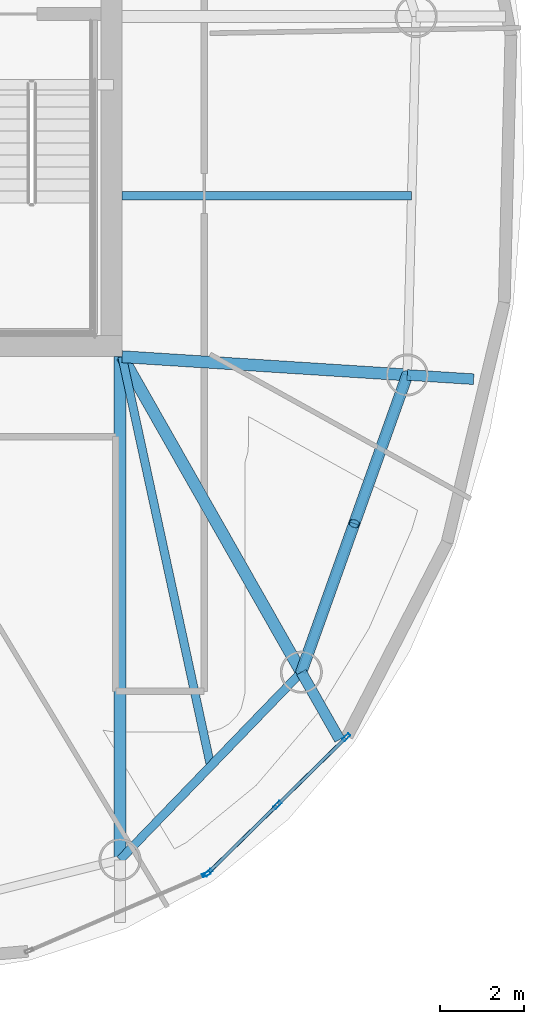
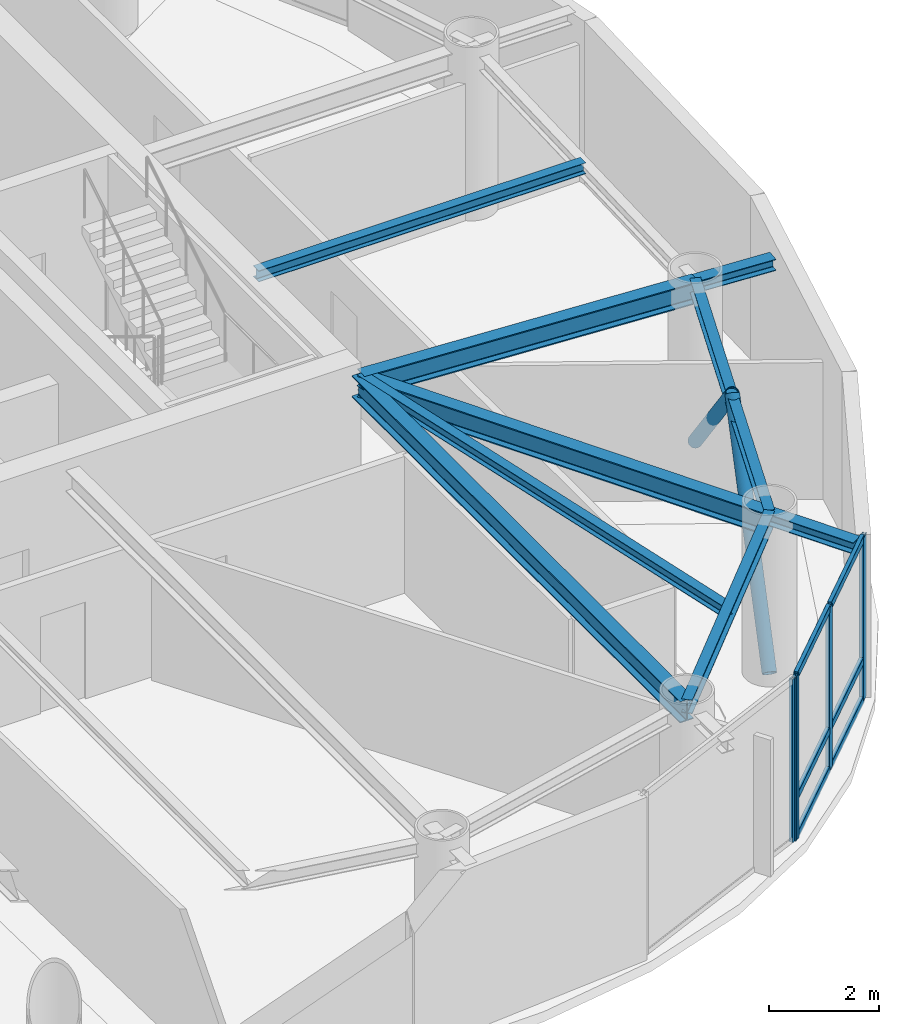
# One storey, part 8 of 21: 12 members, 9 beams, 2 elements without a shape of their own.
"""IFC4 building model written with IfcOpenShell, lengths in metres."""

from ifc_helpers import new_model, si_unit, direction, frame, origin, origin_2d, place, context, subcontext, project, spatial, hollow_rectangle, hollow_circle, i_section, extrude, material, layer, layer_set, material_profile, profile_set, type_object, element, aggregate, save


model = new_model("IFC4")

# Units and contexts
model_context = context("Model", 3, precision=1e-05, world=origin(), true_north=direction((0.0, 1.0)))
body_context = subcontext(model_context, "Body", "Model", "MODEL_VIEW")
ifc_project = project(units=[si_unit("LENGTHUNIT", "METRE"), si_unit("AREAUNIT", "SQUARE_METRE"), si_unit("VOLUMEUNIT", "CUBIC_METRE"), si_unit("PLANEANGLEUNIT", "RADIAN"), si_unit("MASSUNIT", "GRAM", prefix="KILO")], contexts=[model_context])

# Site, building, storey
site_placement = place(None, origin())
site = spatial("IfcSite", under=ifc_project, at=site_placement, CompositionType="ELEMENT")
building_placement = place(site_placement, origin())
building = spatial("IfcBuilding", under=site, at=building_placement, Name="Bramvorn Convention Spire", CompositionType="ELEMENT")
storey_placement = place(building_placement, frame((0.0, 0.0, 257.449951171875)))
storey = spatial("IfcBuildingStorey", under=building, at=storey_placement, Name="L65", CompositionType="ELEMENT", Elevation=257.449951171875)

# Beams
ifc_material_1 = material(Name="Steel CSA G40.21 Grade 350 (350W)", Category="steel")
ifc_material_profile_1 = material_profile(ifc_material_1, i_section(OverallWidth=0.201904296875, OverallDepth=0.2470703125, WebThickness=0.00732421875, FlangeThickness=0.010986328125, FilletRadius=0.011962890625, at=origin_2d()))
ifc_profile_set_1 = profile_set([ifc_material_profile_1], Name="Steel CSA G40.21 Grade 350 (350W) - W250X49")
beam_type_1 = type_object("IfcBeamType", Name="BM-W250X49", PredefinedType="JOIST", material=ifc_profile_set_1)
beam_1_placement = place(storey_placement, frame((49.25, 18.550048828125, 3.50146484375), z_axis=(0.211461445939, -0.977386339623, 0.0), x_axis=(0.977386339623, 0.211461445939, 0.0)))
element("IfcBeam", 1, at=beam_1_placement, inside=storey, type_object=beam_type_1, Name="L65 composite floor joist 01", PredefinedType="JOIST", context=body_context, shape_type="SweptSolid", body=[
    extrude(i_section(OverallWidth=0.201904296875, OverallDepth=0.2470703125, WebThickness=0.00732421875, FlangeThickness=0.010986328125, FilletRadius=0.011962890625, at=origin_2d()), origin(), (0.0, 0.0, 1.0), 9.9462890625),
])
beam_2_placement = place(storey_placement, frame((49.25, 22.373046875, 3.50146484375), z_axis=(1.0, 0.0, 0.0), x_axis=(0.0, 1.0, 0.0)))
element("IfcBeam", 2, at=beam_2_placement, inside=storey, type_object=beam_type_1, Name="L65 composite floor joist 03", PredefinedType="JOIST", context=body_context, shape_type="SweptSolid", body=[
    extrude(i_section(OverallWidth=0.201904296875, OverallDepth=0.2470703125, WebThickness=0.00732421875, FlangeThickness=0.010986328125, FilletRadius=0.011962890625, at=origin_2d()), origin(), (0.0, 0.0, 1.0), 6.879150390625),
])
ifc_material_profile_2 = material_profile(ifc_material_1, i_section(OverallWidth=0.25390625, OverallDepth=0.2529296875, WebThickness=0.008544921875, FlangeThickness=0.01416015625, FilletRadius=0.011962890625, at=origin_2d()))
ifc_profile_set_2 = profile_set([ifc_material_profile_2], Name="Steel CSA G40.21 Grade 350 (350W) - W250X73")
beam_type_2 = type_object("IfcBeamType", Name="BM-W250X73", PredefinedType="BEAM", material=ifc_profile_set_2)
beam_3_placement = place(storey_placement, frame((53.50634765625, 11.05615234375, 3.49853515625), z_axis=(0.493952450223, -0.869488917077, 0.0), x_axis=(0.869488917077, 0.493952450223, 0.0)))
element("IfcBeam", 3, at=beam_3_placement, inside=storey, type_object=beam_type_2, Name="L65 slab-edge cantilever tip beam MC02", PredefinedType="BEAM", context=body_context, shape_type="SweptSolid", body=[
    extrude(i_section(OverallWidth=0.25390625, OverallDepth=0.2529296875, WebThickness=0.008544921875, FlangeThickness=0.01416015625, FilletRadius=0.011962890625, at=origin_2d()), origin(), (0.0, 0.0, 1.0), 1.841064453125),
])
beam_4_placement = place(storey_placement, frame((56.023681640625, 18.116455078125, 3.49853515625), z_axis=(0.997959452391, -0.063850852647, 0.0), x_axis=(0.063850852647, 0.997959452391, 0.0)))
element("IfcBeam", 4, at=beam_4_placement, inside=storey, type_object=beam_type_2, Name="L65 slab-edge cantilever tip beam MC03", PredefinedType="BEAM", context=body_context, shape_type="SweptSolid", body=[
    extrude(i_section(OverallWidth=0.25390625, OverallDepth=0.2529296875, WebThickness=0.008544921875, FlangeThickness=0.01416015625, FilletRadius=0.011962890625, at=origin_2d()), origin(), (0.0, 0.0, 1.0), 1.5791015625),
])
ifc_material_profile_3 = material_profile(ifc_material_1, i_section(OverallWidth=0.202880859375, OverallDepth=0.302978515625, WebThickness=0.007568359375, FlangeThickness=0.01318359375, FilletRadius=0.013916015625, at=origin_2d()))
ifc_profile_set_3 = profile_set([ifc_material_profile_3], Name="Steel CSA G40.21 Grade 350 (350W) - W310X60")
beam_type_3 = type_object("IfcBeamType", Name="BM-W310X60", PredefinedType="JOIST", material=ifc_profile_set_3)
beam_5_placement = place(storey_placement, frame((49.199951171875, 6.60107421875, 3.4736328125), z_axis=(0.695007159797, 0.719002814898, 0.0), x_axis=(-0.719002814898, 0.695007159797, 0.0)))
element("IfcBeam", 5, at=beam_5_placement, inside=storey, type_object=beam_type_3, Name="L65 mega-column ring beam 01", PredefinedType="JOIST", context=body_context, shape_type="SweptSolid", body=[
    extrude(i_section(OverallWidth=0.202880859375, OverallDepth=0.302978515625, WebThickness=0.007568359375, FlangeThickness=0.01318359375, FilletRadius=0.013916015625, at=origin_2d()), origin(), (0.0, 0.0, 1.0), 6.1962890625),
])
beam_6_placement = place(storey_placement, frame((53.50634765625, 11.05615234375, 3.4736328125), z_axis=(0.335839090413, 0.941919373063, 0.0), x_axis=(-0.941919373063, 0.335839090413, 0.0)))
element("IfcBeam", 6, at=beam_6_placement, inside=storey, type_object=beam_type_3, Name="L65 mega-column ring beam 02", PredefinedType="JOIST", context=body_context, shape_type="SweptSolid", body=[
    extrude(i_section(OverallWidth=0.202880859375, OverallDepth=0.302978515625, WebThickness=0.007568359375, FlangeThickness=0.01318359375, FilletRadius=0.013916015625, at=origin_2d()), origin(), (0.0, 0.0, 1.0), 7.49560546875),
])
ifc_material_profile_4 = material_profile(ifc_material_1, i_section(OverallWidth=0.283935546875, OverallDepth=0.47607421875, WebThickness=0.014892578125, FlangeThickness=0.02392578125, FilletRadius=0.01806640625, at=origin_2d()))
ifc_profile_set_4 = profile_set([ifc_material_profile_4], Name="Steel CSA G40.21 Grade 350 (350W) - W460X158")
beam_type_4 = type_object("IfcBeamType", Name="BM-W460X158", PredefinedType="SPANDREL", material=ifc_profile_set_4)
beam_7_placement = place(storey_placement, frame((49.199951171875, 18.550048828125, 3.386962890625), z_axis=(0.0, -1.0, 0.0), x_axis=(1.0, 0.0, 0.0)))
element("IfcBeam", 7, at=beam_7_placement, inside=storey, type_object=beam_type_4, Name="L65 radial floor girder MC01", PredefinedType="SPANDREL", context=body_context, shape_type="SweptSolid", body=[
    extrude(i_section(OverallWidth=0.283935546875, OverallDepth=0.47607421875, WebThickness=0.014892578125, FlangeThickness=0.02392578125, FilletRadius=0.01806640625, at=origin_2d()), origin(), (0.0, 0.0, 1.0), 11.948974609375),
])
beam_8_placement = place(storey_placement, frame((49.25, 18.550048828125, 3.386962890625), z_axis=(0.493873612118, -0.869533699895, 0.0), x_axis=(0.869533699895, 0.493873612118, 0.0)))
element("IfcBeam", 8, at=beam_8_placement, inside=storey, type_object=beam_type_4, Name="L65 radial floor girder MC02", PredefinedType="SPANDREL", context=body_context, shape_type="SweptSolid", body=[
    extrude(i_section(OverallWidth=0.283935546875, OverallDepth=0.47607421875, WebThickness=0.014892578125, FlangeThickness=0.02392578125, FilletRadius=0.01806640625, at=origin_2d()), origin(), (0.0, 0.0, 1.0), 8.618408203125),
])
beam_9_placement = place(storey_placement, frame((49.25, 18.550048828125, 3.386962890625), z_axis=(0.997957536354, -0.063880792379, 0.0), x_axis=(0.063880792379, 0.997957536354, 0.0)))
element("IfcBeam", 9, at=beam_9_placement, inside=storey, type_object=beam_type_4, Name="L65 radial floor girder MC03", PredefinedType="SPANDREL", context=body_context, shape_type="SweptSolid", body=[
    extrude(i_section(OverallWidth=0.283935546875, OverallDepth=0.47607421875, WebThickness=0.014892578125, FlangeThickness=0.02392578125, FilletRadius=0.01806640625, at=origin_2d()), origin(), (0.0, 0.0, 1.0), 6.78759765625),
])

# Curtain wall, members
ifc_material_2 = material(Name="Anodised Bronze Unitised Curtain Wall", Category="aluminium")
ifc_layer = layer(ifc_material_2, 0.179931640625)
ifc_layer_set = layer_set([ifc_layer], Name="Anodised Bronze Unitised Curtain Wall - CW-OFF-FRIT")
curtain_wall_type = type_object("IfcCurtainWallType", Name="CW-OFF-FRIT", PredefinedType="USERDEFINED", material=ifc_layer_set)
curtain_wall_1_placement = place(storey_placement, origin())
curtain_wall_1 = element("IfcCurtainWall", 10, at=curtain_wall_1_placement, inside=storey, type_object=curtain_wall_type, Name="L65 fritted glass curtain wall 01", ObjectType="UNITISED CURTAIN WALL", PredefinedType="USERDEFINED")
ifc_material_3 = material(Name="Anodised Bronze Aluminium 6063-T6", Category="aluminium")
ifc_material_profile_5 = material_profile(ifc_material_3, hollow_rectangle(XDim=0.080078125, YDim=0.199951171875, WallThickness=0.00390625, InnerFilletRadius=0.0009765625, OuterFilletRadius=0.00390625, at=origin_2d()))
ifc_profile_set_5 = profile_set([ifc_material_profile_5], Name="Anodised Bronze Aluminium 6063-T6 - CWM80X200")
member_type_1 = type_object("IfcMemberType", Name="CW-MUL-180", PredefinedType="MULLION", material=ifc_profile_set_5)
member_1_placement = place(storey_placement, frame((54.576416015625, 9.51220703125, 0.0), z_axis=(0.0, 0.0, 1.0), x_axis=(0.700854389246, -0.71330437057, 0.0)))
member_1 = element("IfcMember", 11, at=member_1_placement, type_object=member_type_1, Name="CW3 mullion 1", PredefinedType="MULLION", context=body_context, shape_type="SweptSolid", body=[
    extrude(hollow_rectangle(XDim=0.080078125, YDim=0.199951171875, WallThickness=0.00390625, InnerFilletRadius=0.0009765625, OuterFilletRadius=0.00390625, at=origin_2d()), origin(), (0.0, 0.0, 1.0), 3.625),
])
member_2_placement = place(storey_placement, frame((52.93896484375, 7.903564453125, 0.0), z_axis=(0.0, 0.0, 1.0), x_axis=(0.700854389246, -0.71330437057, 0.0)))
member_2 = element("IfcMember", 12, at=member_2_placement, type_object=member_type_1, Name="CW3 mullion 2", PredefinedType="MULLION", context=body_context, shape_type="SweptSolid", body=[
    extrude(hollow_rectangle(XDim=0.080078125, YDim=0.199951171875, WallThickness=0.00390625, InnerFilletRadius=0.0009765625, OuterFilletRadius=0.00390625, at=origin_2d()), origin(), (0.0, 0.0, 1.0), 3.625),
])
member_3_placement = place(storey_placement, frame((51.3017578125, 6.294921875, 0.0), z_axis=(0.0, 0.0, 1.0), x_axis=(0.700854389246, -0.71330437057, 0.0)))
member_3 = element("IfcMember", 13, at=member_3_placement, type_object=member_type_1, Name="CW3 mullion 3", PredefinedType="MULLION", context=body_context, shape_type="SweptSolid", body=[
    extrude(hollow_rectangle(XDim=0.080078125, YDim=0.199951171875, WallThickness=0.00390625, InnerFilletRadius=0.0009765625, OuterFilletRadius=0.00390625, at=origin_2d()), origin(), (0.0, 0.0, 1.0), 3.625),
])

# Curtain wall, member
curtain_wall_2_placement = place(storey_placement, origin())
curtain_wall_2 = element("IfcCurtainWall", 14, at=curtain_wall_2_placement, inside=storey, type_object=curtain_wall_type, Name="L65 fritted glass curtain wall 24", ObjectType="UNITISED CURTAIN WALL", PredefinedType="USERDEFINED")
member_4_placement = place(storey_placement, frame((51.2529296875, 6.261962890625, 0.0), z_axis=(0.0, 0.0, 1.0), x_axis=(0.39721516725, -0.917725509565, 0.0)))
member_4 = element("IfcMember", 15, at=member_4_placement, type_object=member_type_1, Name="CW3 mullion 1", PredefinedType="MULLION", context=body_context, shape_type="SweptSolid", body=[
    extrude(hollow_rectangle(XDim=0.080078125, YDim=0.199951171875, WallThickness=0.00390625, InnerFilletRadius=0.0009765625, OuterFilletRadius=0.00390625, at=origin_2d()), origin(), (0.0, 0.0, 1.0), 3.625),
])
aggregate(curtain_wall_2, [member_4])

# Member
ifc_material_profile_6 = material_profile(ifc_material_3, hollow_rectangle(XDim=0.080078125, YDim=0.159912109375, WallThickness=0.00390625, InnerFilletRadius=0.0009765625, OuterFilletRadius=0.00390625, at=origin_2d()))
ifc_profile_set_6 = profile_set([ifc_material_profile_6], Name="Anodised Bronze Aluminium 6063-T6 - CWT80X160")
member_type_2 = type_object("IfcMemberType", Name="CW-TRN-150", PredefinedType="USERDEFINED", material=ifc_profile_set_6)
member_5_placement = place(storey_placement, frame((54.554931640625, 9.4912109375, 0.030029296875), z_axis=(-0.713304819912, -0.700853931921, 0.0), x_axis=(0.700853931921, -0.713304819912, 0.0)))
member_5 = element("IfcMember", 16, at=member_5_placement, type_object=member_type_2, Name="CW3 transom 1.1", ObjectType="TRANSOM", PredefinedType="USERDEFINED", context=body_context, shape_type="SweptSolid", body=[
    extrude(hollow_rectangle(XDim=0.080078125, YDim=0.159912109375, WallThickness=0.00390625, InnerFilletRadius=0.0009765625, OuterFilletRadius=0.00390625, at=origin_2d()), origin(), (0.0, 0.0, 1.0), 2.2353515625),
])

member_6_placement = place(storey_placement, frame((54.554931640625, 9.4912109375, 0.900146484375), z_axis=(-0.713304819912, -0.700853931921, 0.0), x_axis=(0.700853931921, -0.713304819912, 0.0)))
member_6 = element("IfcMember", 17, at=member_6_placement, type_object=member_type_2, Name="CW3 transom 1.2", ObjectType="TRANSOM", PredefinedType="USERDEFINED", context=body_context, shape_type="SweptSolid", body=[
    extrude(hollow_rectangle(XDim=0.080078125, YDim=0.159912109375, WallThickness=0.00390625, InnerFilletRadius=0.0009765625, OuterFilletRadius=0.00390625, at=origin_2d()), origin(), (0.0, 0.0, 1.0), 2.2353515625),
])

member_7_placement = place(storey_placement, frame((54.554931640625, 9.4912109375, 3.594970703125), z_axis=(-0.713304819912, -0.700853931921, 0.0), x_axis=(0.700853931921, -0.713304819912, 0.0)))
member_7 = element("IfcMember", 18, at=member_7_placement, type_object=member_type_2, Name="CW3 transom 1.3", ObjectType="TRANSOM", PredefinedType="USERDEFINED", context=body_context, shape_type="SweptSolid", body=[
    extrude(hollow_rectangle(XDim=0.080078125, YDim=0.159912109375, WallThickness=0.00390625, InnerFilletRadius=0.0009765625, OuterFilletRadius=0.00390625, at=origin_2d()), origin(), (0.0, 0.0, 1.0), 2.2353515625),
])

member_8_placement = place(storey_placement, frame((52.917724609375, 7.882568359375, 0.030029296875), z_axis=(-0.713304819912, -0.700853931921, 0.0), x_axis=(0.700853931921, -0.713304819912, 0.0)))
member_8 = element("IfcMember", 19, at=member_8_placement, type_object=member_type_2, Name="CW3 transom 2.1", ObjectType="TRANSOM", PredefinedType="USERDEFINED", context=body_context, shape_type="SweptSolid", body=[
    extrude(hollow_rectangle(XDim=0.080078125, YDim=0.159912109375, WallThickness=0.00390625, InnerFilletRadius=0.0009765625, OuterFilletRadius=0.00390625, at=origin_2d()), origin(), (0.0, 0.0, 1.0), 2.2353515625),
])

member_9_placement = place(storey_placement, frame((52.917724609375, 7.882568359375, 0.900146484375), z_axis=(-0.713304819912, -0.700853931921, 0.0), x_axis=(0.700853931921, -0.713304819912, 0.0)))
member_9 = element("IfcMember", 20, at=member_9_placement, type_object=member_type_2, Name="CW3 transom 2.2", ObjectType="TRANSOM", PredefinedType="USERDEFINED", context=body_context, shape_type="SweptSolid", body=[
    extrude(hollow_rectangle(XDim=0.080078125, YDim=0.159912109375, WallThickness=0.00390625, InnerFilletRadius=0.0009765625, OuterFilletRadius=0.00390625, at=origin_2d()), origin(), (0.0, 0.0, 1.0), 2.2353515625),
])

member_10_placement = place(storey_placement, frame((52.917724609375, 7.882568359375, 3.594970703125), z_axis=(-0.713304819912, -0.700853931921, 0.0), x_axis=(0.700853931921, -0.713304819912, 0.0)))
member_10 = element("IfcMember", 21, at=member_10_placement, type_object=member_type_2, Name="CW3 transom 2.3", ObjectType="TRANSOM", PredefinedType="USERDEFINED", context=body_context, shape_type="SweptSolid", body=[
    extrude(hollow_rectangle(XDim=0.080078125, YDim=0.159912109375, WallThickness=0.00390625, InnerFilletRadius=0.0009765625, OuterFilletRadius=0.00390625, at=origin_2d()), origin(), (0.0, 0.0, 1.0), 2.2353515625),
])

aggregate(curtain_wall_1, [member_1, member_2, member_3, member_5, member_6, member_7, member_8, member_9, member_10])

# Members
ifc_material_profile_7 = material_profile(ifc_material_1, hollow_circle(Radius=0.136474609375, WallThickness=0.0126953125, at=origin_2d()))
ifc_profile_set_7 = profile_set([ifc_material_profile_7], Name="Steel CSA G40.21 Grade 350 (350W) - CHS273X13")
member_type_3 = type_object("IfcMemberType", Name="MBR-CHS273X13", PredefinedType="BRACE", material=ifc_profile_set_7)
member_11_placement = place(storey_placement, frame((53.50634765625, 11.05615234375, 0.0), z_axis=(0.241415019829, 0.677048329465, 0.695215324751), x_axis=(-0.941912743486, 0.335857683639, 0.0)))
element("IfcMember", 22, at=member_11_placement, inside=storey, type_object=member_type_3, Name="L65 perimeter Gothic lancet brace 2A", PredefinedType="BRACE", context=body_context, shape_type="SweptSolid", body=[
    extrude(hollow_circle(Radius=0.136474609375, WallThickness=0.0126953125, at=origin_2d()), origin(), (0.0, 0.0, 1.0), 5.214111328125),
])
member_12_placement = place(storey_placement, frame((56.023681640625, 18.116455078125, 0.0), z_axis=(-0.241378577718, -0.677030621771, 0.695245222495), x_axis=(0.941926002824, -0.335820495509, 0.0)))
element("IfcMember", 23, at=member_12_placement, inside=storey, type_object=member_type_3, Name="L65 perimeter Gothic lancet brace 2B", PredefinedType="BRACE", context=body_context, shape_type="SweptSolid", body=[
    extrude(hollow_circle(Radius=0.136474609375, WallThickness=0.0126953125, at=origin_2d()), origin(), (0.0, 0.0, 1.0), 5.2138671875),
])

save(model, "model.ifc")
